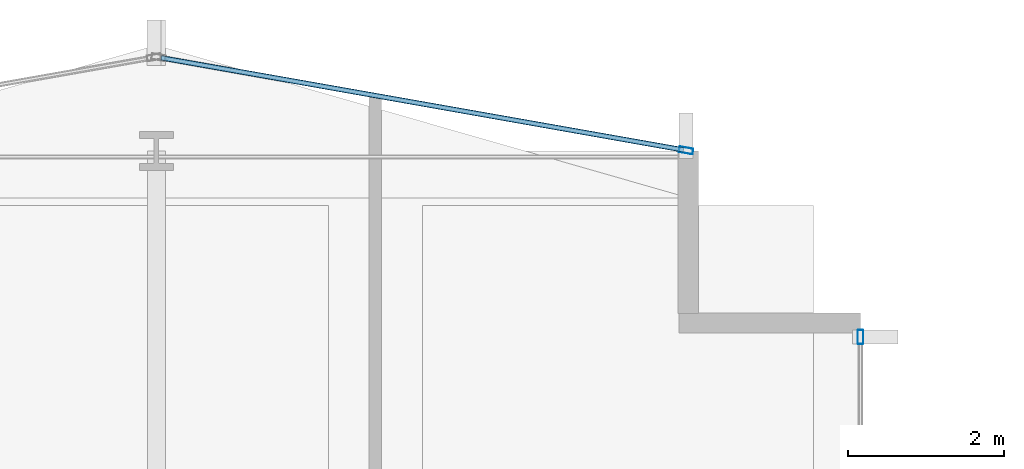
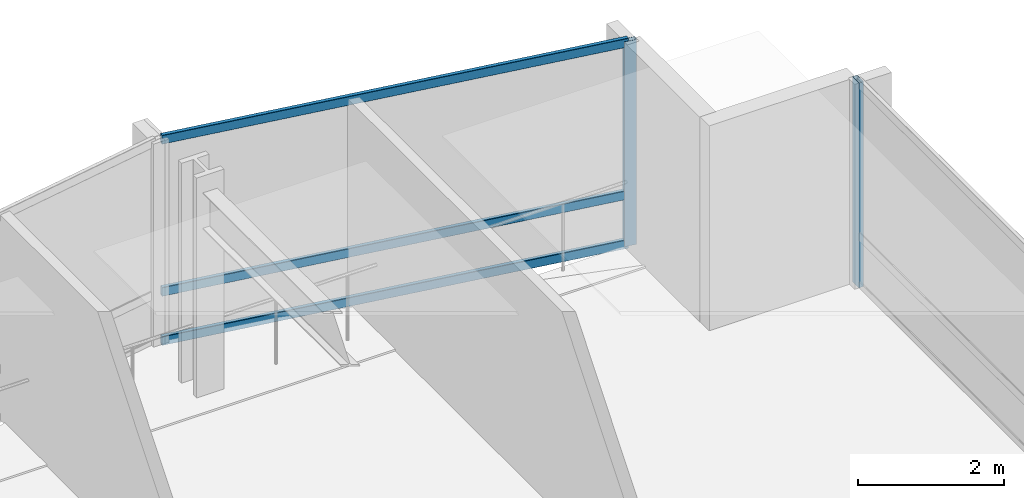
# One storey, part 24 of 34: 5 members, 2 elements without a shape of their own.
"""IFC4 building model written with IfcOpenShell, lengths in metres."""

from ifc_helpers import new_model, si_unit, direction, frame, origin, origin_2d, place, context, subcontext, project, spatial, hollow_rectangle, extrude, material, layer, layer_set, material_profile, profile_set, type_object, element, aggregate, save


model = new_model("IFC4")

# Units and contexts
model_context = context("Model", 3, precision=1e-05, world=origin(), true_north=direction((0.0, 1.0)))
body_context = subcontext(model_context, "Body", "Model", "MODEL_VIEW")
ifc_project = project(units=[si_unit("LENGTHUNIT", "METRE"), si_unit("AREAUNIT", "SQUARE_METRE"), si_unit("VOLUMEUNIT", "CUBIC_METRE"), si_unit("PLANEANGLEUNIT", "RADIAN"), si_unit("MASSUNIT", "GRAM", prefix="KILO")], contexts=[model_context])

# Site, building, storey
site_placement = place(None, origin())
site = spatial("IfcSite", under=ifc_project, at=site_placement, CompositionType="ELEMENT")
building_placement = place(site_placement, origin())
building = spatial("IfcBuilding", under=site, at=building_placement, Name="Solvaryn Broadcast Tower", CompositionType="ELEMENT")
storey_placement = place(building_placement, frame((0.0, 0.0, 43.39990234375)))
storey = spatial("IfcBuildingStorey", under=building, at=storey_placement, Name="L09", CompositionType="ELEMENT", Elevation=43.39990234375)

# Curtain wall, member
ifc_material_1 = material(Name="Aluminium and Terracotta Unitised Curtain Wall", Category="masonry")
ifc_layer = layer(ifc_material_1, 0.199951171875)
ifc_layer_set = layer_set([ifc_layer], Name="CW-SYS2-LOWMID")
curtain_wall_type = type_object("IfcCurtainWallType", Name="CW-SYS2-LOWMID", PredefinedType="NOTDEFINED", material=ifc_layer_set)
curtain_wall_1_placement = place(storey_placement, origin())
curtain_wall_1 = element("IfcCurtainWall", 1, at=curtain_wall_1_placement, inside=storey, type_object=curtain_wall_type, Name="L09 Curtain Wall IV", PredefinedType="NOTDEFINED")
ifc_material_2 = material(Name="Anodised Aluminium 6063-T6", Category="aluminium")
ifc_material_profile_1 = material_profile(ifc_material_2, hollow_rectangle(XDim=0.074951171875, YDim=0.179931640625, WallThickness=0.00390625, InnerFilletRadius=0.00390625, OuterFilletRadius=0.008056640625, at=origin_2d()))
ifc_profile_set_1 = profile_set([ifc_material_profile_1], Name="Anodised Aluminium 6063-T6")
member_type_1 = type_object("IfcMemberType", Name="CW-MUL-180", PredefinedType="MULLION", material=ifc_profile_set_1)
member_1_placement = place(storey_placement, frame((27.0, 51.6201171875, 0.0), z_axis=(0.0, 0.0, 1.0), x_axis=(1.0, 0.0, 0.0)))
member_1 = element("IfcMember", 2, at=member_1_placement, type_object=member_type_1, Name="CWS2 mullion 1", PredefinedType="MULLION", context=body_context, shape_type="SweptSolid", body=[
    extrude(hollow_rectangle(XDim=0.074951171875, YDim=0.179931640625, WallThickness=0.00390625, InnerFilletRadius=0.00390625, OuterFilletRadius=0.008056640625, at=origin_2d()), origin(), (0.0, 0.0, 1.0), 3.420166015625),
])
aggregate(curtain_wall_1, [member_1])

# Curtain wall, members
curtain_wall_2_placement = place(storey_placement, origin())
curtain_wall_2 = element("IfcCurtainWall", 3, at=curtain_wall_2_placement, inside=storey, type_object=curtain_wall_type, Name="L09 Curtain Wall NT1", PredefinedType="NOTDEFINED")
member_2_placement = place(storey_placement, frame((24.7705078125, 54.005126953125, 0.0), z_axis=(0.0, 0.0, 1.0), x_axis=(-0.173785333901, -0.984783558819, 0.0)))
member_2 = element("IfcMember", 4, at=member_2_placement, type_object=member_type_1, Name="CWS2 mullion 1", PredefinedType="MULLION", context=body_context, shape_type="SweptSolid", body=[
    extrude(hollow_rectangle(XDim=0.074951171875, YDim=0.179931640625, WallThickness=0.00390625, InnerFilletRadius=0.00390625, OuterFilletRadius=0.008056640625, at=origin_2d()), origin(), (0.0, 0.0, 1.0), 3.420166015625),
])
ifc_material_3 = material(Name="Anodised Aluminium 6063-T6", Category="aluminium")
ifc_material_profile_2 = material_profile(ifc_material_3, hollow_rectangle(XDim=0.06494140625, YDim=0.14990234375, WallThickness=0.00390625, InnerFilletRadius=0.00390625, OuterFilletRadius=0.008056640625, at=origin_2d()))
ifc_profile_set_2 = profile_set([ifc_material_profile_2], Name="Anodised Aluminium 6063-T6")
member_type_2 = type_object("IfcMemberType", Name="CW-TRN-150", PredefinedType="USERDEFINED", material=ifc_profile_set_2)
member_3_placement = place(storey_placement, frame((24.740966796875, 54.010498046875, 0.030029296875), z_axis=(-0.984788629673, 0.173756596613, 0.0), x_axis=(-0.173756596613, -0.984788629673, 0.0)))
member_3 = element("IfcMember", 5, at=member_3_placement, type_object=member_type_2, Name="CWS2 transom 1.1", ObjectType="TRANSOM", PredefinedType="USERDEFINED", context=body_context, shape_type="SweptSolid", body=[
    extrude(hollow_rectangle(XDim=0.06494140625, YDim=0.14990234375, WallThickness=0.00390625, InnerFilletRadius=0.00390625, OuterFilletRadius=0.008056640625, at=origin_2d()), origin(), (0.0, 0.0, 1.0), 6.78515625),
])
member_4_placement = place(storey_placement, frame((24.740966796875, 54.010498046875, 0.85009765625), z_axis=(-0.984788629673, 0.173756596613, 0.0), x_axis=(-0.173756596613, -0.984788629673, 0.0)))
member_4 = element("IfcMember", 6, at=member_4_placement, type_object=member_type_2, Name="CWS2 transom 1.2", ObjectType="TRANSOM", PredefinedType="USERDEFINED", context=body_context, shape_type="SweptSolid", body=[
    extrude(hollow_rectangle(XDim=0.06494140625, YDim=0.14990234375, WallThickness=0.00390625, InnerFilletRadius=0.00390625, OuterFilletRadius=0.008056640625, at=origin_2d()), origin(), (0.0, 0.0, 1.0), 6.78515625),
])
member_5_placement = place(storey_placement, frame((24.740966796875, 54.010498046875, 3.39013671875), z_axis=(-0.984788629673, 0.173756596613, 0.0), x_axis=(-0.173756596613, -0.984788629673, 0.0)))
member_5 = element("IfcMember", 7, at=member_5_placement, type_object=member_type_2, Name="CWS2 transom 1.3", ObjectType="TRANSOM", PredefinedType="USERDEFINED", context=body_context, shape_type="SweptSolid", body=[
    extrude(hollow_rectangle(XDim=0.06494140625, YDim=0.14990234375, WallThickness=0.00390625, InnerFilletRadius=0.00390625, OuterFilletRadius=0.008056640625, at=origin_2d()), origin(), (0.0, 0.0, 1.0), 6.78515625),
])
aggregate(curtain_wall_2, [member_2, member_3, member_4, member_5])

save(model, "model.ifc")
